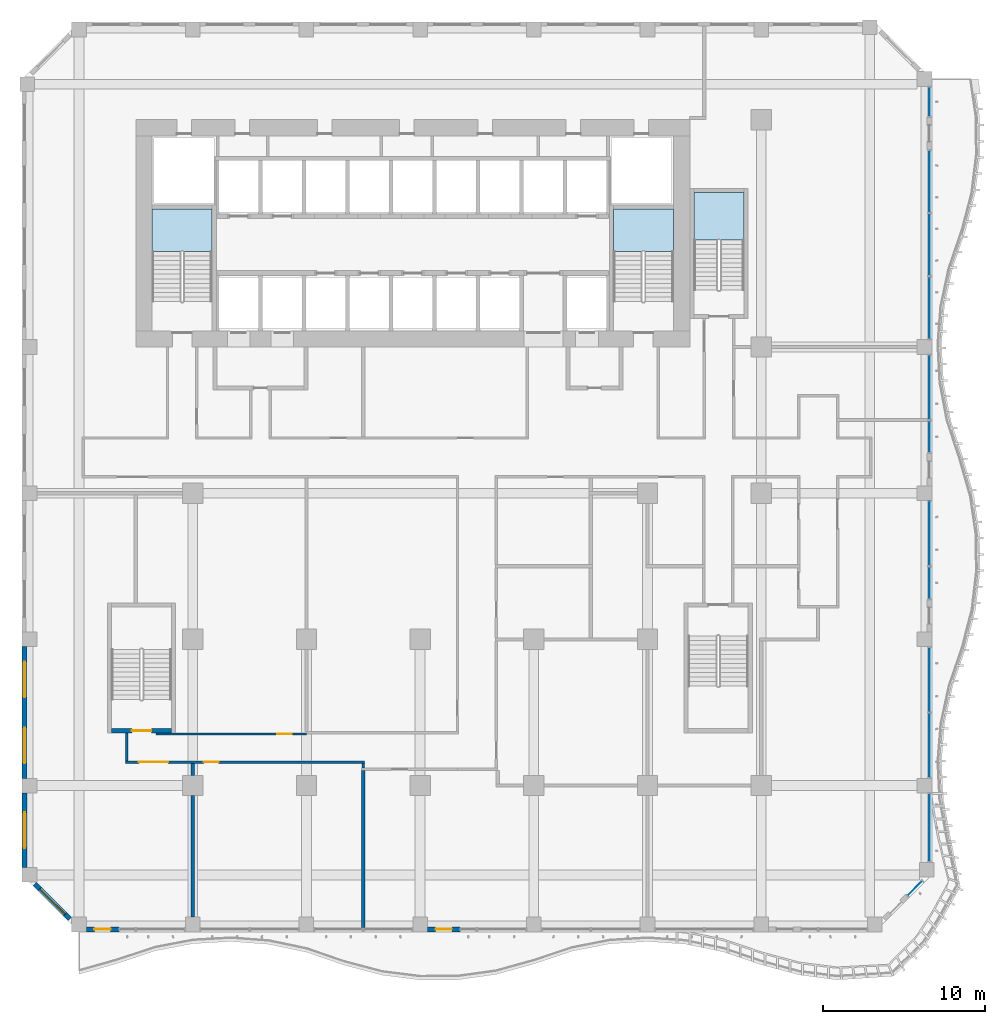
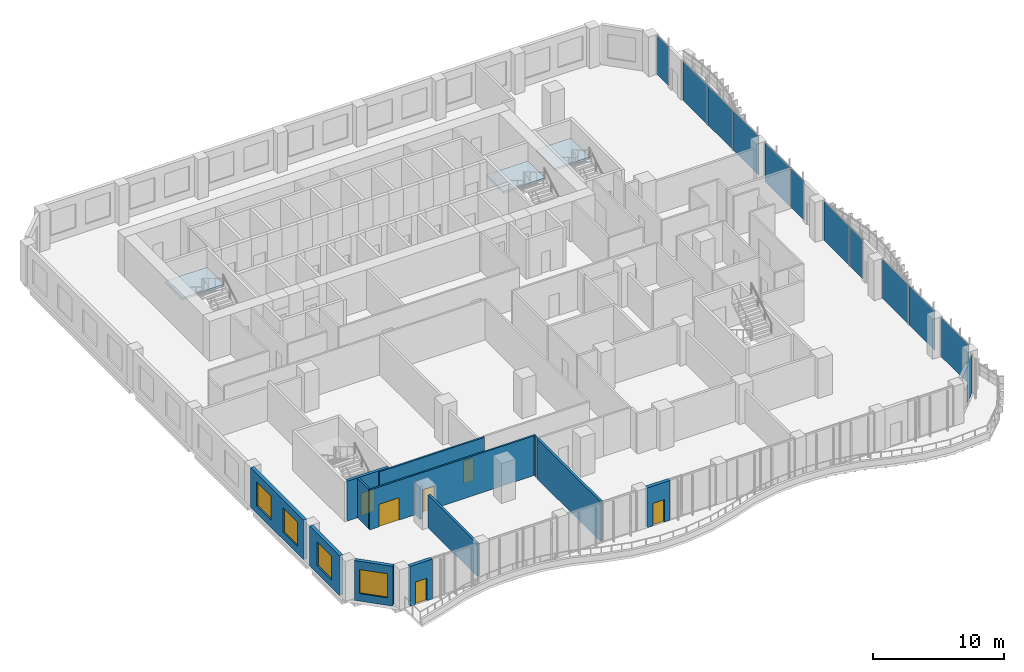
# One storey, part 12 of 28: 13 walls, 12 plates, 6 doors, 4 windows, 3 slabs, 10 openings, 15 elements without a shape of their own.
"""IFC4 building model written with IfcOpenShell, lengths in metres."""

from ifc_helpers import new_model, si_unit, direction, frame, frame_2d, origin, origin_2d, place, context, subcontext, project, spatial, polyline, rectangle, outline, extrude, source, transform, mapped, material, layer, layer_set, type_object, element, fill, aggregate, save


model = new_model("IFC4")

# Units and contexts
model_context = context("Model", 3, precision=1e-05, world=origin(), true_north=direction((0.0, 1.0)))
body_context = subcontext(model_context, "Body", "Model", "MODEL_VIEW")
ifc_project = project(units=[si_unit("LENGTHUNIT", "METRE"), si_unit("AREAUNIT", "SQUARE_METRE"), si_unit("VOLUMEUNIT", "CUBIC_METRE"), si_unit("PLANEANGLEUNIT", "RADIAN"), si_unit("MASSUNIT", "GRAM", prefix="KILO")], contexts=[model_context])

# Site, building, storey
site_placement = place(None, origin())
site = spatial("IfcSite", under=ifc_project, at=site_placement, CompositionType="ELEMENT")
building_placement = place(site_placement, origin())
building = spatial("IfcBuilding", under=site, at=building_placement, Name="Kilnfold Tower and Market Hall", CompositionType="ELEMENT")
storey_placement = place(building_placement, frame((0.0, 0.0, 87.199951171875)))
storey = spatial("IfcBuildingStorey", under=building, at=storey_placement, Name="L20", CompositionType="ELEMENT", Elevation=87.199951171875)

# Curtain wall, plate
ifc_material_1 = material(Name="Aluminium and double glazing", Category="aluminium")
curtain_wall_type = type_object("IfcCurtainWallType", Name="CW OF1 VALLEY GLAZING", PredefinedType="NOTDEFINED", material=ifc_material_1)
curtain_wall_1_placement = place(storey_placement, origin())
curtain_wall_1 = element("IfcCurtainWall", 1, at=curtain_wall_1_placement, inside=storey, type_object=curtain_wall_type, Name="Curtain wall CW1 L20 SE", PredefinedType="NOTDEFINED")
ifc_material_2 = material(Name="Double glazed unit")
ifc_layer_1 = layer(ifc_material_2, 0.031982421875)
ifc_layer_set_1 = layer_set([ifc_layer_1], Name="Double glazed unit")
plate_type = type_object("IfcPlateType", Name="GLAZING PANEL 32", PredefinedType="CURTAIN_PANEL", material=ifc_layer_set_1)
shared_shape_1 = source(origin(), body_context, "Body", "SweptSolid", [
    extrude(rectangle(XDim=1.23876953125, YDim=0.031982421875, at=origin_2d()), origin(), (0.0, 0.0, 1.0), 3.659912109375),
])
plate_1_placement = place(storey_placement, frame((31.963623046875, -25.32421875, 0.0), z_axis=(0.0, 0.0, 1.0), x_axis=(0.707106781187, 0.707106781187, 0.0)))
plate_1 = element("IfcPlate", 2, at=plate_1_placement, type_object=plate_type, Name="CW1 panel 1.1", PredefinedType="CURTAIN_PANEL", context=body_context, shape_type="MappedRepresentation", body=[
    mapped(shared_shape_1, transform((0.0, 0.0, 0.0))),
])
aggregate(curtain_wall_1, [plate_1])

curtain_wall_2_placement = place(storey_placement, origin())
curtain_wall_2 = element("IfcCurtainWall", 3, at=curtain_wall_2_placement, inside=storey, type_object=curtain_wall_type, Name="Curtain wall CW1 L20 E", PredefinedType="NOTDEFINED")
shared_shape_2 = source(origin(), body_context, "Body", "SweptSolid", [
    extrude(rectangle(XDim=3.929931640625, YDim=0.031982421875, at=origin_2d()), origin(), (0.0, 0.0, 1.0), 3.659912109375),
])
plate_2_placement = place(storey_placement, frame((32.85009765625, -16.52490234375, 0.0), z_axis=(0.0, 0.0, 1.0), x_axis=(0.0, 1.0, 0.0)))
plate_2 = element("IfcPlate", 4, at=plate_2_placement, type_object=plate_type, Name="CW1 panel 1.1", PredefinedType="CURTAIN_PANEL", context=body_context, shape_type="MappedRepresentation", body=[
    mapped(shared_shape_2, transform((0.0, 0.0, 0.0))),
])
aggregate(curtain_wall_2, [plate_2])

curtain_wall_3_placement = place(storey_placement, origin())
curtain_wall_3 = element("IfcCurtainWall", 5, at=curtain_wall_3_placement, inside=storey, type_object=curtain_wall_type, Name="Curtain wall CW1 L20 E", PredefinedType="NOTDEFINED")
plate_3_placement = place(storey_placement, frame((32.85009765625, -12.47509765625, 0.0), z_axis=(0.0, 0.0, 1.0), x_axis=(0.0, 1.0, 0.0)))
plate_3 = element("IfcPlate", 6, at=plate_3_placement, type_object=plate_type, Name="CW1 panel 1.1", PredefinedType="CURTAIN_PANEL", context=body_context, shape_type="MappedRepresentation", body=[
    mapped(shared_shape_2, transform((0.0, 0.0, 0.0))),
])
aggregate(curtain_wall_3, [plate_3])

curtain_wall_4_placement = place(storey_placement, origin())
curtain_wall_4 = element("IfcCurtainWall", 7, at=curtain_wall_4_placement, inside=storey, type_object=curtain_wall_type, Name="Curtain wall CW1 L20 E", PredefinedType="NOTDEFINED")
plate_4_placement = place(storey_placement, frame((32.85009765625, -3.47509765625, 0.0), z_axis=(0.0, 0.0, 1.0), x_axis=(0.0, 1.0, 0.0)))
plate_4 = element("IfcPlate", 8, at=plate_4_placement, type_object=plate_type, Name="CW1 panel 1.1", PredefinedType="CURTAIN_PANEL", context=body_context, shape_type="MappedRepresentation", body=[
    mapped(shared_shape_2, transform((0.0, 0.0, 0.0))),
])
aggregate(curtain_wall_4, [plate_4])

curtain_wall_5_placement = place(storey_placement, origin())
curtain_wall_5 = element("IfcCurtainWall", 9, at=curtain_wall_5_placement, inside=storey, type_object=curtain_wall_type, Name="Curtain wall CW1 L20 E", PredefinedType="NOTDEFINED")
plate_5_placement = place(storey_placement, frame((32.85009765625, 5.52490234375, 0.0), z_axis=(0.0, 0.0, 1.0), x_axis=(0.0, 1.0, 0.0)))
plate_5 = element("IfcPlate", 10, at=plate_5_placement, type_object=plate_type, Name="CW1 panel 1.1", PredefinedType="CURTAIN_PANEL", context=body_context, shape_type="MappedRepresentation", body=[
    mapped(shared_shape_2, transform((0.0, 0.0, 0.0))),
])
aggregate(curtain_wall_5, [plate_5])

curtain_wall_6_placement = place(storey_placement, origin())
curtain_wall_6 = element("IfcCurtainWall", 11, at=curtain_wall_6_placement, inside=storey, type_object=curtain_wall_type, Name="Curtain wall CW1 L20 E", PredefinedType="NOTDEFINED")
shared_shape_3 = source(origin(), body_context, "Body", "SweptSolid", [
    extrude(rectangle(XDim=1.929931640625, YDim=0.031982421875, at=origin_2d()), origin(), (0.0, 0.0, 1.0), 3.659912109375),
])
plate_6_placement = place(storey_placement, frame((32.85009765625, -6.52490234375, 0.0), z_axis=(0.0, 0.0, 1.0), x_axis=(0.0, 1.0, 0.0)))
plate_6 = element("IfcPlate", 12, at=plate_6_placement, type_object=plate_type, Name="CW1 panel 1.1", PredefinedType="CURTAIN_PANEL", context=body_context, shape_type="MappedRepresentation", body=[
    mapped(shared_shape_3, transform((0.0, 0.0, 0.0))),
])
aggregate(curtain_wall_6, [plate_6])

curtain_wall_7_placement = place(storey_placement, origin())
curtain_wall_7 = element("IfcCurtainWall", 13, at=curtain_wall_7_placement, inside=storey, type_object=curtain_wall_type, Name="Curtain wall CW1 L20 E", PredefinedType="NOTDEFINED")
plate_7_placement = place(storey_placement, frame((32.85009765625, 2.47509765625, 0.0), z_axis=(0.0, 0.0, 1.0), x_axis=(0.0, 1.0, 0.0)))
plate_7 = element("IfcPlate", 14, at=plate_7_placement, type_object=plate_type, Name="CW1 panel 1.1", PredefinedType="CURTAIN_PANEL", context=body_context, shape_type="MappedRepresentation", body=[
    mapped(shared_shape_3, transform((0.0, 0.0, 0.0))),
])
aggregate(curtain_wall_7, [plate_7])

curtain_wall_8_placement = place(storey_placement, origin())
curtain_wall_8 = element("IfcCurtainWall", 15, at=curtain_wall_8_placement, inside=storey, type_object=curtain_wall_type, Name="Curtain wall CW1 L20 E", PredefinedType="NOTDEFINED")
shared_shape_4 = source(origin(), body_context, "Body", "SweptSolid", [
    extrude(rectangle(XDim=3.780029296875, YDim=0.031982421875, at=origin_2d()), origin(), (0.0, 0.0, 1.0), 3.659912109375),
])
plate_8_placement = place(storey_placement, frame((32.85009765625, 10.39990234375, 0.0), z_axis=(0.0, 0.0, 1.0), x_axis=(0.0, 1.0, 0.0)))
plate_8 = element("IfcPlate", 16, at=plate_8_placement, type_object=plate_type, Name="CW1 panel 1.1", PredefinedType="CURTAIN_PANEL", context=body_context, shape_type="MappedRepresentation", body=[
    mapped(shared_shape_4, transform((0.0, 0.0, 0.0))),
])
aggregate(curtain_wall_8, [plate_8])

curtain_wall_9_placement = place(storey_placement, origin())
curtain_wall_9 = element("IfcCurtainWall", 17, at=curtain_wall_9_placement, inside=storey, type_object=curtain_wall_type, Name="Curtain wall CW1 L20 E", PredefinedType="NOTDEFINED")
plate_9_placement = place(storey_placement, frame((32.85009765625, 14.300048828125, 0.0), z_axis=(0.0, 0.0, 1.0), x_axis=(0.0, 1.0, 0.0)))
plate_9 = element("IfcPlate", 18, at=plate_9_placement, type_object=plate_type, Name="CW1 panel 1.1", PredefinedType="CURTAIN_PANEL", context=body_context, shape_type="MappedRepresentation", body=[
    mapped(shared_shape_4, transform((0.0, 0.0, 0.0))),
])
aggregate(curtain_wall_9, [plate_9])

curtain_wall_10_placement = place(storey_placement, origin())
curtain_wall_10 = element("IfcCurtainWall", 19, at=curtain_wall_10_placement, inside=storey, type_object=curtain_wall_type, Name="Curtain wall CW1 L20 E", PredefinedType="NOTDEFINED")
plate_10_placement = place(storey_placement, frame((32.85009765625, 18.199951171875, 0.0), z_axis=(0.0, 0.0, 1.0), x_axis=(0.0, 1.0, 0.0)))
plate_10 = element("IfcPlate", 20, at=plate_10_placement, type_object=plate_type, Name="CW1 panel 1.1", PredefinedType="CURTAIN_PANEL", context=body_context, shape_type="MappedRepresentation", body=[
    mapped(shared_shape_4, transform((0.0, 0.0, 0.0))),
])
aggregate(curtain_wall_10, [plate_10])

curtain_wall_11_placement = place(storey_placement, origin())
curtain_wall_11 = element("IfcCurtainWall", 21, at=curtain_wall_11_placement, inside=storey, type_object=curtain_wall_type, Name="Curtain wall CW1 L20 E", PredefinedType="NOTDEFINED")
shared_shape_5 = source(origin(), body_context, "Body", "SweptSolid", [
    extrude(rectangle(XDim=1.780029296875, YDim=0.031982421875, at=origin_2d()), origin(), (0.0, 0.0, 1.0), 3.659912109375),
])
plate_11_placement = place(storey_placement, frame((32.85009765625, 23.10009765625, 0.0), z_axis=(0.0, 0.0, 1.0), x_axis=(0.0, 1.0, 0.0)))
plate_11 = element("IfcPlate", 22, at=plate_11_placement, type_object=plate_type, Name="CW1 panel 1.1", PredefinedType="CURTAIN_PANEL", context=body_context, shape_type="MappedRepresentation", body=[
    mapped(shared_shape_5, transform((0.0, 0.0, 0.0))),
])
aggregate(curtain_wall_11, [plate_11])

curtain_wall_12_placement = place(storey_placement, origin())
curtain_wall_12 = element("IfcCurtainWall", 23, at=curtain_wall_12_placement, inside=storey, type_object=curtain_wall_type, Name="Curtain wall CW1 L20 E", PredefinedType="NOTDEFINED")
shared_shape_6 = source(origin(), body_context, "Body", "SweptSolid", [
    extrude(rectangle(XDim=4.161865234375, YDim=0.031982421875, at=origin_2d()), origin(), (0.0, 0.0, 1.0), 3.659912109375),
])
plate_12_placement = place(storey_placement, frame((32.85009765625, -21.5908203125, 0.0), z_axis=(0.0, 0.0, 1.0), x_axis=(0.0, 1.0, 0.0)))
plate_12 = element("IfcPlate", 24, at=plate_12_placement, type_object=plate_type, Name="CW1 panel 1.1", PredefinedType="CURTAIN_PANEL", context=body_context, shape_type="MappedRepresentation", body=[
    mapped(shared_shape_6, transform((0.0, 0.0, 0.0))),
])
aggregate(curtain_wall_12, [plate_12])

# Stair, slab
ifc_material_3 = material(Name="Concrete C40/50", Category="concrete")
stair_type_1 = type_object("IfcStairType", Name="CORE STAIR 1800", PredefinedType="HALF_TURN_STAIR", material=ifc_material_3)
stair_1_placement = place(storey_placement, origin())
stair_1 = element("IfcStair", 25, at=stair_1_placement, inside=storey, type_object=stair_type_1, Name="L20 ST1", PredefinedType="HALF_TURN_STAIR")
ifc_material_4 = material(Name="Concrete C40/50", Category="concrete")
ifc_layer_2 = layer(ifc_material_4, 0.199951171875)
ifc_layer_set_2 = layer_set([ifc_layer_2], Name="Concrete C40/50")
slab_type = type_object("IfcSlabType", Name="CORE STAIR LANDING 200", PredefinedType="LANDING", material=ifc_layer_set_2)
shared_shape_7 = source(origin(), body_context, "Body", "SweptSolid", [
    extrude(outline(polyline([(-11.300048828125, 13.8798828125), (-11.300048828125, 16.5), (-15.0, 16.5), (-15.0, 13.8798828125), (-11.300048828125, 13.8798828125)])), origin(), (0.0, 0.0, 1.0), 0.199951171875),
])
slab_1_placement = place(storey_placement, frame((0.0, 0.0, 1.800048828125)))
slab_1 = element("IfcSlab", 26, at=slab_1_placement, type_object=slab_type, Name="ST1 landing 1", PredefinedType="LANDING", context=body_context, shape_type="MappedRepresentation", body=[
    mapped(shared_shape_7, transform((0.0, 0.0, 0.0))),
])
aggregate(stair_1, [slab_1])

stair_2_placement = place(storey_placement, origin())
stair_2 = element("IfcStair", 27, at=stair_2_placement, inside=storey, type_object=stair_type_1, Name="L20 ST2", PredefinedType="HALF_TURN_STAIR")
shared_shape_8 = source(origin(), body_context, "Body", "SweptSolid", [
    extrude(outline(polyline([(17.10009765625, 13.8798828125), (17.10009765625, 16.5), (13.39990234375, 16.5), (13.39990234375, 13.8798828125), (17.10009765625, 13.8798828125)])), origin(), (0.0, 0.0, 1.0), 0.199951171875),
])
slab_2_placement = place(storey_placement, frame((0.0, 0.0, 1.800048828125)))
slab_2 = element("IfcSlab", 28, at=slab_2_placement, type_object=slab_type, Name="ST2 landing 1", PredefinedType="LANDING", context=body_context, shape_type="MappedRepresentation", body=[
    mapped(shared_shape_8, transform((0.0, 0.0, 0.0))),
])
aggregate(stair_2, [slab_2])

ifc_material_5 = material(Name="Concrete C40/50", Category="concrete")
stair_type_2 = type_object("IfcStairType", Name="CORE STAIR 1500", PredefinedType="HALF_TURN_STAIR", material=ifc_material_5)
stair_3_placement = place(storey_placement, origin())
stair_3 = element("IfcStair", 29, at=stair_3_placement, inside=storey, type_object=stair_type_2, Name="L20 ST5", PredefinedType="HALF_TURN_STAIR")
shared_shape_9 = source(origin(), body_context, "Body", "SweptSolid", [
    extrude(outline(polyline([(21.449951171875, 14.580078125), (21.449951171875, 17.5), (18.35009765625, 17.5), (18.35009765625, 14.580078125), (21.449951171875, 14.580078125)])), origin(), (0.0, 0.0, 1.0), 0.199951171875),
])
slab_3_placement = place(storey_placement, frame((0.0, 0.0, 1.800048828125)))
slab_3 = element("IfcSlab", 30, at=slab_3_placement, type_object=slab_type, Name="ST5 landing 1", PredefinedType="LANDING", context=body_context, shape_type="MappedRepresentation", body=[
    mapped(shared_shape_9, transform((0.0, 0.0, 0.0))),
])
aggregate(stair_3, [slab_3])

# Wall, openings, doors
ifc_material_6 = material(Name="Gypsum board on steel studs", Category="steel")
ifc_layer_3 = layer(ifc_material_6, 0.14990234375)
ifc_layer_set_3 = layer_set([ifc_layer_3], Name="Gypsum board on steel studs")
wall_type_1 = type_object("IfcWallType", Name="WALL CORRIDOR 150", PredefinedType="PARTITIONING", material=ifc_layer_set_3)
wall_1_placement = place(storey_placement, frame((-16.625, -17.550048828125, 0.0), z_axis=(0.0, 0.0, 1.0), x_axis=(1.0, 0.0, 0.0)))
wall_1 = element("IfcWall", 31, at=wall_1_placement, inside=storey, type_object=wall_type_1, Name="Partition LY14.1", PredefinedType="PARTITIONING", context=body_context, shape_type="SweptSolid", body=[
    extrude(rectangle(XDim=14.697998046875, YDim=0.14990234375, at=frame_2d((7.34912109375, 0.0))), origin(), (0.0, 0.0, 1.0), 3.719970703125),
])
opening_1_placement = place(wall_1_placement, frame((0.81103515625, 0.0, 0.0)))
opening_1 = element("IfcOpeningElement", 32, at=opening_1_placement, cuts=wall_1, Name="Opening D5", PredefinedType="OPENING", context=body_context, shape_type="SweptSolid", body=[
    extrude(rectangle(XDim=1.800048828125, YDim=2.10009765625, at=frame_2d((0.89990234375, 1.050048828125))), frame((0.0, 0.0849609375, 0.0), z_axis=(0.0, -1.0, 0.0), x_axis=(1.0, 0.0, 0.0)), (0.0, 0.0, 1.0), 0.169921875),
])
opening_2_placement = place(wall_1_placement, frame((4.820068359375, 0.0, 0.0)))
opening_2 = element("IfcOpeningElement", 33, at=opening_2_placement, cuts=wall_1, Name="Opening D2", PredefinedType="OPENING", context=body_context, shape_type="SweptSolid", body=[
    extrude(rectangle(XDim=0.89990234375, YDim=2.10009765625, at=frame_2d((0.449951171875, 1.050048828125))), frame((0.0, 0.0849609375, 0.0), z_axis=(0.0, -1.0, 0.0), x_axis=(1.0, 0.0, 0.0)), (0.0, 0.0, 1.0), 0.169921875),
])
ifc_material_7 = material(Name="Timber veneer door leaf in steel frame", Category="steel")
door_type_1 = type_object("IfcDoorType", Name="DOOR DOUBLE 1800 X2100", OperationType="NOTDEFINED", PredefinedType="DOOR", material=ifc_material_7)
door_1_placement = place(opening_1_placement, origin())
door_1 = element("IfcDoor", 34, at=door_1_placement, inside=storey, type_object=door_type_1, Name="Door D5", OperationType="DOUBLE_DOOR_SINGLE_SWING", OverallHeight=2.10009765625, OverallWidth=1.800048828125, PredefinedType="DOOR", context=body_context, shape_type="SweptSolid", body=[
    extrude(rectangle(XDim=1.800048828125, YDim=2.10009765625, at=frame_2d((0.89990234375, 1.050048828125))), frame((0.0, 0.02490234375, 0.0), z_axis=(0.0, -1.0, 0.0), x_axis=(1.0, 0.0, 0.0)), (0.0, 0.0, 1.0), 0.050048828125),
])
fill(opening_1, door_1)
ifc_material_8 = material(Name="Timber veneer door leaf in steel frame", Category="steel")
door_type_2 = type_object("IfcDoorType", Name="DOOR ROOM 900 X2100", OperationType="NOTDEFINED", PredefinedType="DOOR", material=ifc_material_8)
door_2_placement = place(opening_2_placement, origin())
door_2 = element("IfcDoor", 35, at=door_2_placement, inside=storey, type_object=door_type_2, Name="Door D2", OperationType="SINGLE_SWING_RIGHT", OverallHeight=2.10009765625, OverallWidth=0.89990234375, PredefinedType="DOOR", context=body_context, shape_type="SweptSolid", body=[
    extrude(rectangle(XDim=0.89990234375, YDim=2.10009765625, at=frame_2d((0.449951171875, 1.050048828125))), frame((0.0, 0.02490234375, 0.0), z_axis=(0.0, -1.0, 0.0), x_axis=(1.0, 0.0, 0.0)), (0.0, 0.0, 1.0), 0.050048828125),
])
fill(opening_2, door_2)

# Walls
wall_2_placement = place(storey_placement, frame((-16.550048828125, -15.75, 0.0), z_axis=(0.0, 0.0, 1.0), x_axis=(0.0, -1.0, 0.0)))
element("IfcWall", 36, at=wall_2_placement, inside=storey, type_object=wall_type_1, Name="Partition LY14.2", PredefinedType="PARTITIONING", context=body_context, shape_type="SweptSolid", body=[
    extrude(rectangle(XDim=1.72509765625, YDim=0.14990234375, at=frame_2d((0.862548828125, 0.0))), origin(), (0.0, 0.0, 1.0), 3.719970703125),
])
wall_3_placement = place(storey_placement, frame((-2.001953125, -17.625, 0.0), z_axis=(0.0, 0.0, 1.0), x_axis=(0.0, -1.0, 0.0)))
element("IfcWall", 37, at=wall_3_placement, inside=storey, type_object=wall_type_1, Name="Partition LY14.3", PredefinedType="PARTITIONING", context=body_context, shape_type="SweptSolid", body=[
    extrude(rectangle(XDim=0.302001953125, YDim=0.14990234375, at=frame_2d((0.15087890625, 0.0))), origin(), (0.0, 0.0, 1.0), 3.719970703125),
])

# Wall, opening, door
wall_4_placement = place(storey_placement, frame((-5.489990234375, -15.824951171875, 0.0), z_axis=(0.0, 0.0, 1.0), x_axis=(-1.0, 0.0, 0.0)))
wall_4 = element("IfcWall", 38, at=wall_4_placement, inside=storey, type_object=wall_type_1, Name="Partition LY14.10", PredefinedType="PARTITIONING", context=body_context, shape_type="SweptSolid", body=[
    extrude(rectangle(XDim=9.260009765625, YDim=0.14990234375, at=frame_2d((4.6298828125, 0.0))), origin(), (0.0, 0.0, 1.0), 3.719970703125),
])
opening_3_placement = place(wall_4_placement, frame((0.905029296875, 0.0, 0.0)))
opening_3 = element("IfcOpeningElement", 39, at=opening_3_placement, cuts=wall_4, Name="Opening D2", PredefinedType="OPENING", context=body_context, shape_type="SweptSolid", body=[
    extrude(rectangle(XDim=0.89990234375, YDim=2.10009765625, at=frame_2d((0.449951171875, 1.050048828125))), frame((0.0, 0.0849609375, 0.0), z_axis=(0.0, -1.0, 0.0), x_axis=(1.0, 0.0, 0.0)), (0.0, 0.0, 1.0), 0.169921875),
])
door_3_placement = place(opening_3_placement, origin())
door_3 = element("IfcDoor", 40, at=door_3_placement, inside=storey, type_object=door_type_2, Name="Door D2", OperationType="SINGLE_SWING_RIGHT", OverallHeight=2.10009765625, OverallWidth=0.89990234375, PredefinedType="DOOR", context=body_context, shape_type="SweptSolid", body=[
    extrude(rectangle(XDim=0.89990234375, YDim=2.10009765625, at=frame_2d((0.449951171875, 1.050048828125))), frame((0.0, 0.02490234375, 0.0), z_axis=(0.0, -1.0, 0.0), x_axis=(1.0, 0.0, 0.0)), (0.0, 0.0, 1.0), 0.050048828125),
])
fill(opening_3, door_3)

# Walls
ifc_material_9 = material(Name="Gypsum board on steel studs", Category="steel")
ifc_layer_4 = layer(ifc_material_9, 0.199951171875)
ifc_layer_set_4 = layer_set([ifc_layer_4], Name="Gypsum board on steel studs")
wall_type_2 = type_object("IfcWallType", Name="WALL PARTY 200", PredefinedType="PARTITIONING", material=ifc_layer_set_4)
wall_5_placement = place(storey_placement, frame((-12.5, -18.375, 0.0), z_axis=(0.0, 0.0, 1.0), x_axis=(0.0, 1.0, 0.0)))
element("IfcWall", 41, at=wall_5_placement, inside=storey, type_object=wall_type_2, Name="Partition LY14.45", PredefinedType="PARTITIONING", context=body_context, shape_type="SweptSolid", body=[
    extrude(rectangle(XDim=0.7490234375, YDim=0.199951171875, at=frame_2d((0.37451171875, 0.0))), origin(), (0.0, 0.0, 1.0), 3.070068359375),
])
wall_6_placement = place(storey_placement, frame((-12.5, -27.10009765625, 0.0), z_axis=(0.0, 0.0, 1.0), x_axis=(0.0, 1.0, 0.0)))
element("IfcWall", 42, at=wall_6_placement, inside=storey, type_object=wall_type_2, Name="Partition LY14.46", PredefinedType="PARTITIONING", context=body_context, shape_type="SweptSolid", body=[
    extrude(rectangle(XDim=7.47509765625, YDim=0.199951171875, at=frame_2d((3.737548828125, 0.0))), origin(), (0.0, 0.0, 1.0), 3.070068359375),
])
wall_7_placement = place(storey_placement, frame((-2.0, -27.75, 0.0), z_axis=(0.0, 0.0, 1.0), x_axis=(0.0, 1.0, 0.0)))
element("IfcWall", 43, at=wall_7_placement, inside=storey, type_object=wall_type_2, Name="Partition LY14.49", PredefinedType="PARTITIONING", context=body_context, shape_type="SweptSolid", body=[
    extrude(rectangle(XDim=9.68310546875, YDim=0.199951171875, at=frame_2d((4.841552734375, 0.0))), origin(), (0.0, 0.0, 1.0), 3.719970703125),
])

# Wall, opening, door
ifc_material_10 = material(Name="Concrete C80", Category="concrete")
ifc_layer_5 = layer(ifc_material_10, 0.25)
ifc_layer_set_5 = layer_set([ifc_layer_5], Name="Concrete C80")
wall_type_3 = type_object("IfcWallType", Name="CORE WALL 250 C80", PredefinedType="SHEAR", material=ifc_layer_set_5)
shared_shape_10 = source(origin(), body_context, "Body", "SweptSolid", [
    extrude(rectangle(XDim=3.699951171875, YDim=0.25, at=frame_2d((1.85009765625, 0.0))), origin(), (0.0, 0.0, 1.0), 3.719970703125),
])
wall_8_placement = place(storey_placement, frame((-17.5, -15.625, 0.0), z_axis=(0.0, 0.0, 1.0), x_axis=(1.0, 0.0, 0.0)))
wall_8 = element("IfcWall", 44, at=wall_8_placement, inside=storey, type_object=wall_type_3, Name="Stair enclosure ST3", PredefinedType="SHEAR", context=body_context, shape_type="MappedRepresentation", body=[
    mapped(shared_shape_10, transform((0.0, 0.0, 0.0))),
])
opening_4_placement = place(wall_8_placement, frame((1.25, 0.0, 0.0)))
opening_4 = element("IfcOpeningElement", 45, at=opening_4_placement, cuts=wall_8, Name="Opening SD1", PredefinedType="OPENING", context=body_context, shape_type="SweptSolid", body=[
    extrude(rectangle(XDim=1.199951171875, YDim=2.10009765625, at=frame_2d((0.60009765625, 1.050048828125))), frame((0.0, 0.135009765625, 0.0), z_axis=(0.0, -1.0, 0.0), x_axis=(1.0, 0.0, 0.0)), (0.0, 0.0, 1.0), 0.27001953125),
])
ifc_material_11 = material(Name="Steel door set with fire-resisting leaf", Category="steel")
door_type_3 = type_object("IfcDoorType", Name="STAIR FLOOR DOOR 1200X2100", OperationType="NOTDEFINED", PredefinedType="DOOR", material=ifc_material_11)
door_4_placement = place(opening_4_placement, origin())
door_4 = element("IfcDoor", 46, at=door_4_placement, inside=storey, type_object=door_type_3, Name="Exit stair ST3 door", OperationType="DOUBLE_DOOR_SINGLE_SWING", OverallHeight=2.10009765625, OverallWidth=1.199951171875, PredefinedType="DOOR", context=body_context, shape_type="SweptSolid", body=[
    extrude(rectangle(XDim=1.199951171875, YDim=2.10009765625, at=frame_2d((0.60009765625, 1.050048828125))), frame((0.0, 0.02490234375, 0.0), z_axis=(0.0, -1.0, 0.0), x_axis=(1.0, 0.0, 0.0)), (0.0, 0.0, 1.0), 0.050048828125),
])
fill(opening_4, door_4)

ifc_material_12 = material(Name="Precast concrete C50/60", Category="concrete")
ifc_layer_6 = layer(ifc_material_12, 0.300048828125)
ifc_layer_set_6 = layer_set([ifc_layer_6], Name="Precast concrete C50/60")
wall_type_4 = type_object("IfcWallType", Name="PRECAST WALL 300", PredefinedType="SOLIDWALL", material=ifc_layer_set_6)
shared_shape_11 = source(origin(), body_context, "Body", "SweptSolid", [
    extrude(rectangle(XDim=2.0, YDim=0.300048828125, at=frame_2d((1.0, 0.0))), origin(), (0.0, 0.0, 1.0), 3.719970703125),
])
wall_9_placement = place(storey_placement, frame((-19.050048828125, -27.85009765625, 0.0), z_axis=(0.0, 0.0, 1.0), x_axis=(1.0, 0.0, 0.0)))
wall_9 = element("IfcWall", 47, at=wall_9_placement, inside=storey, type_object=wall_type_4, Name="External wall L20 S", PredefinedType="SOLIDWALL", context=body_context, shape_type="MappedRepresentation", body=[
    mapped(shared_shape_11, transform((0.0, 0.0, 0.0))),
])
opening_5_placement = place(wall_9_placement, frame((0.5, 0.0, 0.0)))
opening_5 = element("IfcOpeningElement", 48, at=opening_5_placement, cuts=wall_9, Name="Opening BD1", PredefinedType="OPENING", context=body_context, shape_type="SweptSolid", body=[
    extrude(rectangle(XDim=1.0, YDim=2.10009765625, at=frame_2d((0.5, 1.050048828125))), frame((0.0, 0.16015625, 0.0), z_axis=(0.0, -1.0, 0.0), x_axis=(1.0, 0.0, 0.0)), (0.0, 0.0, 1.0), 0.320068359375),
])
ifc_material_13 = material(Name="Aluminium frame and double glazing", Category="aluminium")
door_type_4 = type_object("IfcDoorType", Name="BALCONY DOOR 1000X2100", OperationType="NOTDEFINED", PredefinedType="DOOR", material=ifc_material_13)
door_5_placement = place(opening_5_placement, origin())
door_5 = element("IfcDoor", 49, at=door_5_placement, inside=storey, type_object=door_type_4, Name="Balcony door BD1 L20 S-1", OperationType="SINGLE_SWING_LEFT", OverallHeight=2.10009765625, OverallWidth=1.0, PredefinedType="DOOR", context=body_context, shape_type="SweptSolid", body=[
    extrude(rectangle(XDim=1.0, YDim=2.10009765625, at=frame_2d((0.5, 1.050048828125))), frame((0.0, 0.02490234375, 0.0), z_axis=(0.0, -1.0, 0.0), x_axis=(1.0, 0.0, 0.0)), (0.0, 0.0, 1.0), 0.050048828125),
])
fill(opening_5, door_5)

wall_10_placement = place(storey_placement, frame((1.949951171875, -27.85009765625, 0.0), z_axis=(0.0, 0.0, 1.0), x_axis=(1.0, 0.0, 0.0)))
wall_10 = element("IfcWall", 50, at=wall_10_placement, inside=storey, type_object=wall_type_4, Name="External wall L20 S", PredefinedType="SOLIDWALL", context=body_context, shape_type="MappedRepresentation", body=[
    mapped(shared_shape_11, transform((0.0, 0.0, 0.0))),
])
opening_6_placement = place(wall_10_placement, frame((0.5, 0.0, 0.0)))
opening_6 = element("IfcOpeningElement", 51, at=opening_6_placement, cuts=wall_10, Name="Opening BD1", PredefinedType="OPENING", context=body_context, shape_type="SweptSolid", body=[
    extrude(rectangle(XDim=1.0, YDim=2.10009765625, at=frame_2d((0.5, 1.050048828125))), frame((0.0, 0.16015625, 0.0), z_axis=(0.0, -1.0, 0.0), x_axis=(1.0, 0.0, 0.0)), (0.0, 0.0, 1.0), 0.320068359375),
])
door_6_placement = place(opening_6_placement, origin())
door_6 = element("IfcDoor", 52, at=door_6_placement, inside=storey, type_object=door_type_4, Name="Balcony door BD1 L20 S-1", OperationType="SINGLE_SWING_LEFT", OverallHeight=2.10009765625, OverallWidth=1.0, PredefinedType="DOOR", context=body_context, shape_type="SweptSolid", body=[
    extrude(rectangle(XDim=1.0, YDim=2.10009765625, at=frame_2d((0.5, 1.050048828125))), frame((0.0, 0.02490234375, 0.0), z_axis=(0.0, -1.0, 0.0), x_axis=(1.0, 0.0, 0.0)), (0.0, 0.0, 1.0), 0.050048828125),
])
fill(opening_6, door_6)

# Wall, openings, windows
shared_shape_12 = source(origin(), body_context, "Body", "SweptSolid", [
    extrude(rectangle(XDim=8.10009765625, YDim=0.300048828125, at=frame_2d((4.050048828125, 0.0))), origin(), (0.0, 0.0, 1.0), 3.719970703125),
])
wall_11_placement = place(storey_placement, frame((-22.85009765625, -10.449951171875, 0.0), z_axis=(0.0, 0.0, 1.0), x_axis=(0.0, -1.0, 0.0)))
wall_11 = element("IfcWall", 53, at=wall_11_placement, inside=storey, type_object=wall_type_4, Name="External wall L20 W", PredefinedType="SOLIDWALL", context=body_context, shape_type="MappedRepresentation", body=[
    mapped(shared_shape_12, transform((0.0, 0.0, 0.0))),
])
opening_7_placement = place(wall_11_placement, frame((0.925048828125, 0.0, 0.699951171875)))
opening_7 = element("IfcOpeningElement", 54, at=opening_7_placement, cuts=wall_11, Name="Opening W1", PredefinedType="OPENING", context=body_context, shape_type="SweptSolid", body=[
    extrude(rectangle(XDim=2.199951171875, YDim=2.25, at=frame_2d((1.10009765625, 1.125))), frame((0.0, 0.16015625, 0.0), z_axis=(0.0, -1.0, 0.0), x_axis=(1.0, 0.0, 0.0)), (0.0, 0.0, 1.0), 0.320068359375),
])
opening_8_placement = place(wall_11_placement, frame((4.97509765625, 0.0, 0.699951171875)))
opening_8 = element("IfcOpeningElement", 55, at=opening_8_placement, cuts=wall_11, Name="Opening W1", PredefinedType="OPENING", context=body_context, shape_type="SweptSolid", body=[
    extrude(rectangle(XDim=2.199951171875, YDim=2.25, at=frame_2d((1.10009765625, 1.125))), frame((0.0, 0.16015625, 0.0), z_axis=(0.0, -1.0, 0.0), x_axis=(1.0, 0.0, 0.0)), (0.0, 0.0, 1.0), 0.320068359375),
])
ifc_material_14 = material(Name="Aluminium frame and double glazing", Category="aluminium")
window_type = type_object("IfcWindowType", Name="WINDOW W1 2200X2250", PartitioningType="SINGLE_PANEL", PredefinedType="WINDOW", material=ifc_material_14)
window_1_placement = place(opening_7_placement, origin())
window_1 = element("IfcWindow", 56, at=window_1_placement, inside=storey, type_object=window_type, Name="Window W1 L20 W-1", OverallHeight=2.25, OverallWidth=2.199951171875, PartitioningType="SINGLE_PANEL", PredefinedType="WINDOW", context=body_context, shape_type="SweptSolid", body=[
    extrude(rectangle(XDim=2.199951171875, YDim=2.25, at=frame_2d((1.10009765625, 1.125))), frame((0.0, 0.030029296875, 0.0), z_axis=(0.0, -1.0, 0.0), x_axis=(1.0, 0.0, 0.0)), (0.0, 0.0, 1.0), 0.06005859375),
])
fill(opening_7, window_1)
window_2_placement = place(opening_8_placement, origin())
window_2 = element("IfcWindow", 57, at=window_2_placement, inside=storey, type_object=window_type, Name="Window W1 L20 W-2", OverallHeight=2.25, OverallWidth=2.199951171875, PartitioningType="SINGLE_PANEL", PredefinedType="WINDOW", context=body_context, shape_type="SweptSolid", body=[
    extrude(rectangle(XDim=2.199951171875, YDim=2.25, at=frame_2d((1.10009765625, 1.125))), frame((0.0, 0.030029296875, 0.0), z_axis=(0.0, -1.0, 0.0), x_axis=(1.0, 0.0, 0.0)), (0.0, 0.0, 1.0), 0.06005859375),
])
fill(opening_8, window_2)

# Wall, opening, window
shared_shape_13 = source(origin(), body_context, "Body", "SweptSolid", [
    extrude(rectangle(XDim=4.60009765625, YDim=0.300048828125, at=frame_2d((2.300048828125, 0.0))), origin(), (0.0, 0.0, 1.0), 3.719970703125),
])
wall_12_placement = place(storey_placement, frame((-22.85009765625, -19.449951171875, 0.0), z_axis=(0.0, 0.0, 1.0), x_axis=(0.0, -1.0, 0.0)))
wall_12 = element("IfcWall", 58, at=wall_12_placement, inside=storey, type_object=wall_type_4, Name="External wall L20 W", PredefinedType="SOLIDWALL", context=body_context, shape_type="MappedRepresentation", body=[
    mapped(shared_shape_13, transform((0.0, 0.0, 0.0))),
])
opening_9_placement = place(wall_12_placement, frame((1.199951171875, 0.0, 0.699951171875)))
opening_9 = element("IfcOpeningElement", 59, at=opening_9_placement, cuts=wall_12, Name="Opening W1", PredefinedType="OPENING", context=body_context, shape_type="SweptSolid", body=[
    extrude(rectangle(XDim=2.199951171875, YDim=2.25, at=frame_2d((1.10009765625, 1.125))), frame((0.0, 0.16015625, 0.0), z_axis=(0.0, -1.0, 0.0), x_axis=(1.0, 0.0, 0.0)), (0.0, 0.0, 1.0), 0.320068359375),
])
window_3_placement = place(opening_9_placement, origin())
window_3 = element("IfcWindow", 60, at=window_3_placement, inside=storey, type_object=window_type, Name="Window W1 L20 W-1", OverallHeight=2.25, OverallWidth=2.199951171875, PartitioningType="SINGLE_PANEL", PredefinedType="WINDOW", context=body_context, shape_type="SweptSolid", body=[
    extrude(rectangle(XDim=2.199951171875, YDim=2.25, at=frame_2d((1.10009765625, 1.125))), frame((0.0, 0.030029296875, 0.0), z_axis=(0.0, -1.0, 0.0), x_axis=(1.0, 0.0, 0.0)), (0.0, 0.0, 1.0), 0.06005859375),
])
fill(opening_9, window_3)

shared_shape_14 = source(origin(), body_context, "Body", "SweptSolid", [
    extrude(rectangle(XDim=3.040771484375, YDim=0.300048828125, at=frame_2d((1.5205078125, 0.0))), origin(), (0.0, 0.0, 1.0), 3.719970703125),
])
wall_13_placement = place(storey_placement, frame((-22.218994140625, -25.06884765625, 0.0), z_axis=(0.0, 0.0, 1.0), x_axis=(0.707106781187, -0.707106781187, 0.0)))
wall_13 = element("IfcWall", 61, at=wall_13_placement, inside=storey, type_object=wall_type_4, Name="External wall L20 SW", PredefinedType="SOLIDWALL", context=body_context, shape_type="MappedRepresentation", body=[
    mapped(shared_shape_14, transform((0.0, 0.0, 0.0))),
])
opening_10_placement = place(wall_13_placement, frame((0.42041015625, 0.0, 0.699951171875)))
opening_10 = element("IfcOpeningElement", 62, at=opening_10_placement, cuts=wall_13, Name="Opening W1", PredefinedType="OPENING", context=body_context, shape_type="SweptSolid", body=[
    extrude(rectangle(XDim=2.199951171875, YDim=2.25, at=frame_2d((1.10009765625, 1.125))), frame((0.0, 0.16015625, 0.0), z_axis=(0.0, -1.0, 0.0), x_axis=(1.0, 0.0, 0.0)), (0.0, 0.0, 1.0), 0.320068359375),
])
window_4_placement = place(opening_10_placement, origin())
window_4 = element("IfcWindow", 63, at=window_4_placement, inside=storey, type_object=window_type, Name="Window W1 L20 SW-1", OverallHeight=2.25, OverallWidth=2.199951171875, PartitioningType="SINGLE_PANEL", PredefinedType="WINDOW", context=body_context, shape_type="SweptSolid", body=[
    extrude(rectangle(XDim=2.199951171875, YDim=2.25, at=frame_2d((1.10009765625, 1.125))), frame((0.0, 0.030029296875, 0.0), z_axis=(0.0, -1.0, 0.0), x_axis=(1.0, 0.0, 0.0)), (0.0, 0.0, 1.0), 0.06005859375),
])
fill(opening_10, window_4)

save(model, "model.ifc")
